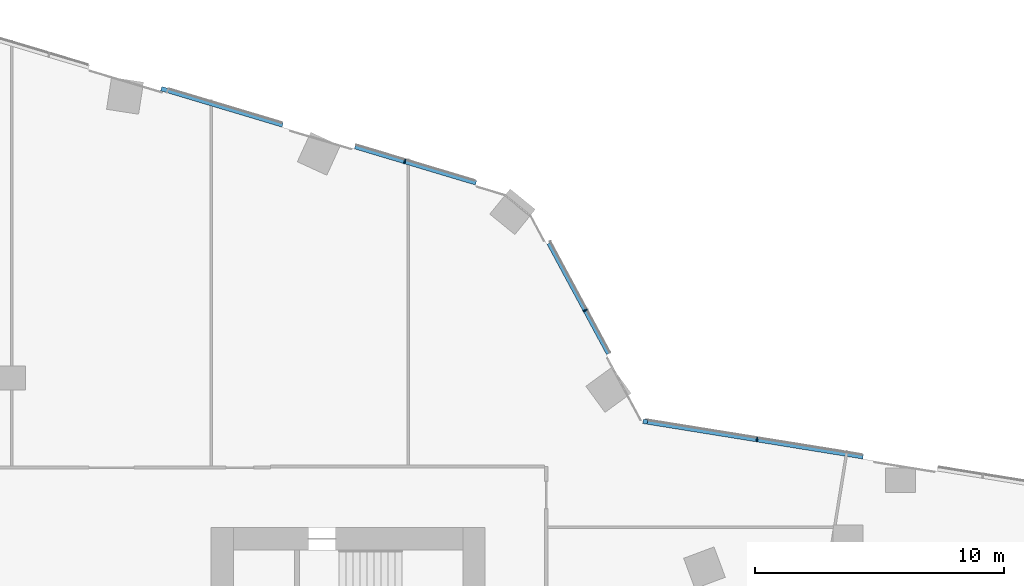
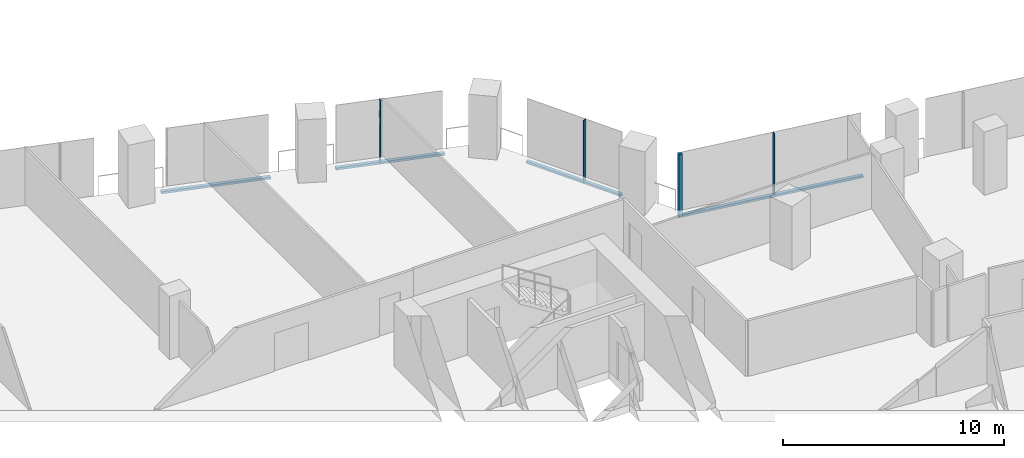
# One storey, part 11 of 32: 8 members, 3 elements without a shape of their own.
"""IFC4 building model written with IfcOpenShell, lengths in metres."""

import ifcopenshell
import ifcopenshell.guid

model = None  # the IFC model being written
_history = None  # IfcOwnerHistory: only IFC2X3 demands one
_inside = {}  # id of a spatial element -> (the spatial element, [elements in it])
_under = {}  # id of a project, library or spatial element -> (it, [spatial elements below it])
_declared = {}  # id of a project -> (the project, [libraries it declares])
_typed = {}  # id of a type object -> (the type object, [elements of that type])
_made_of = {}  # id of a material, layer set ... -> (it, [elements and type objects made of it])


def new_model(schema):
    """Start an empty IFC model of exactly this schema.

    Asked for "IFC4X3", IfcOpenShell would pick the latest addendum, in which some entities
    have other attributes; the version numbers below select the first issue.
    IFC2X3 requires an IfcOwnerHistory on every rooted entity: one is made here for all.
    """
    global model, _history
    if schema == "IFC4X3":
        model = ifcopenshell.file(schema_version=(4, 3, 0, 0))
    else:
        model = ifcopenshell.file(schema=schema)
    _inside.clear()
    _under.clear()
    _declared.clear()
    _typed.clear()
    _made_of.clear()
    _history = None
    if model.schema == "IFC2X3":
        org = make("IfcOrganization", Name="unknown")
        user = make(
            "IfcPersonAndOrganization",
            ThePerson=make("IfcPerson", FamilyName="unknown"),
            TheOrganization=org,
        )
        app = make(
            "IfcApplication",
            ApplicationDeveloper=org,
            Version="unknown",
            ApplicationFullName="unknown",
            ApplicationIdentifier="unknown",
        )
        _history = make(
            "IfcOwnerHistory",
            OwningUser=user,
            OwningApplication=app,
            ChangeAction="ADDED",
            CreationDate=0,
        )
    return model


def make(cls, **values):
    """One entity of the class cls with the attributes given. An attribute that is None is left unset."""
    return model.create_entity(
        cls, **{name: value for name, value in values.items() if value is not None}
    )


def rooted(cls, **values):
    """An entity with a GlobalId (a new one), such as an element, a storey or a relation."""
    return make(cls, GlobalId=ifcopenshell.guid.new(), OwnerHistory=_history, **values)


def si_unit(unit_type, name, prefix=None):
    """IfcSIUnit, for example si_unit("LENGTHUNIT", "METRE", prefix="MILLI")."""
    return make("IfcSIUnit", UnitType=unit_type, Prefix=prefix, Name=name)


def assignment(units):
    """IfcUnitAssignment: the units of a project."""
    return None if units is None else make("IfcUnitAssignment", Units=units)


def point(xyz):
    """IfcCartesianPoint."""
    return None if xyz is None else make("IfcCartesianPoint", Coordinates=xyz)


def direction(xyz):
    """IfcDirection."""
    return None if xyz is None else make("IfcDirection", DirectionRatios=xyz)


def frame(location, z_axis=None, x_axis=None):
    """IfcAxis2Placement3D, a coordinate frame: its origin and axes. An axis left out is left unset."""
    return make(
        "IfcAxis2Placement3D",
        Location=point(location),
        Axis=direction(z_axis),
        RefDirection=direction(x_axis),
    )


def frame_2d(location, x_axis=None):
    """IfcAxis2Placement2D, a coordinate frame in the plane: its origin and x axis."""
    return make(
        "IfcAxis2Placement2D", Location=point(location), RefDirection=direction(x_axis)
    )


def origin():
    """The frame at (0, 0, 0) with its axes left unset."""
    return frame((0.0, 0.0, 0.0))


def origin_2d():
    """The frame at (0, 0) in the plane with its x axis left unset."""
    return frame_2d((0.0, 0.0))


def place(relative_to, where):
    """IfcLocalPlacement: puts the frame where relative to a parent placement (None: the world)."""
    return make(
        "IfcLocalPlacement", PlacementRelTo=relative_to, RelativePlacement=where
    )


def context(
    kind, dimensions, precision=None, world=None, true_north=None, identifier=None
):
    """IfcGeometricRepresentationContext, for example the 3D "Model" context."""
    return make(
        "IfcGeometricRepresentationContext",
        ContextIdentifier=identifier,
        ContextType=kind,
        CoordinateSpaceDimension=dimensions,
        Precision=precision,
        WorldCoordinateSystem=world,
        TrueNorth=true_north,
    )


def subcontext(parent, identifier, kind, view, scale=None):
    """IfcGeometricRepresentationSubContext, for example "Body" below "Model"."""
    return make(
        "IfcGeometricRepresentationSubContext",
        ContextIdentifier=identifier,
        ContextType=kind,
        ParentContext=parent,
        TargetScale=scale,
        TargetView=view,
    )


def project(units=None, contexts=None):
    """IfcProject with its units and contexts."""
    return rooted(
        "IfcProject",
        Name="project",
        RepresentationContexts=contexts,
        UnitsInContext=assignment(units),
    )


def spatial(cls, under=None, at=None, **own):
    """A site, building, storey or space (cls), placed at a placement, below another one or the project."""
    s = rooted(cls, ObjectPlacement=at, **own)
    if under is not None:
        _under.setdefault(under.id(), (under, []))[1].append(s)
    return s


def profile(cls, at=None, kind="AREA", **sizes):
    """A parametric profile (cls). Its sizes go by their IFC names, for example OverallWidth=200.0."""
    return make(cls, ProfileType=kind, Position=at, **sizes)


def rectangle(**sizes):
    """IfcRectangleProfileDef."""
    return profile("IfcRectangleProfileDef", **sizes)


def extrude(swept, where, along, depth):
    """IfcExtrudedAreaSolid: the profile swept, set in the frame where, extruded along a direction by depth."""
    return make(
        "IfcExtrudedAreaSolid",
        SweptArea=swept,
        Position=where,
        ExtrudedDirection=direction(along),
        Depth=depth,
    )


def shape(context_of_items, identifier, shape_type, items):
    """IfcShapeRepresentation: the items that make up one representation, for example the "Body"."""
    return make(
        "IfcShapeRepresentation",
        ContextOfItems=context_of_items,
        RepresentationIdentifier=identifier,
        RepresentationType=shape_type,
        Items=items,
    )


def material(Name=None, Category=None):
    """IfcMaterial."""
    return make("IfcMaterial", Name=Name, Category=Category)


def material_profile(
    of_material, cross_section, Name=None, Category=None, Priority=None
):
    """IfcMaterialProfile: a cross section and its material."""
    return make(
        "IfcMaterialProfile",
        Name=Name,
        Material=of_material,
        Profile=cross_section,
        Priority=Priority,
        Category=Category,
    )


def profile_set(profiles, Name=None, composite=None):
    """IfcMaterialProfileSet."""
    return make(
        "IfcMaterialProfileSet",
        Name=Name,
        MaterialProfiles=profiles,
        CompositeProfile=composite,
    )


def made_of(thing, what):
    """Note that an element or type object is made of a material, layer set ...; save() writes the relation."""
    if what is not None:
        _made_of.setdefault(what.id(), (what, []))[1].append(thing)
    return thing


def type_object(cls, material=None, **own):
    """A type object (cls), such as IfcWallType, which elements share."""
    return made_of(rooted(cls, **own), material)


def element(
    cls,
    number,
    at=None,
    inside=None,
    cuts=None,
    type_object=None,
    material=None,
    context=None,
    identifier="Body",
    shape_type=None,
    held_by="IfcProductDefinitionShape",
    body=None,
    shapes=None,
    **own,
):
    """One element of the class cls, such as IfcWall. Its Tag is "e" and its number.

    at: its placement. inside: the storey or other place that contains it. cuts: it is an
    opening in that element (IfcRelVoidsElement). A single representation is given by context,
    identifier, shape_type and body (its items); several are given by shapes. held_by: the class
    of the entity that holds the representations. save() writes the other relations.
    """
    e = rooted(cls, Tag="e%d" % number, ObjectPlacement=at, **own)
    if body is not None:
        shapes = [shape(context, identifier, shape_type, body)]
    if shapes is not None:
        e.Representation = make(held_by, Representations=shapes)
    if inside is not None:
        _inside.setdefault(inside.id(), (inside, []))[1].append(e)
    if cuts is not None:
        rooted(
            "IfcRelVoidsElement", RelatingBuildingElement=cuts, RelatedOpeningElement=e
        )
    if type_object is not None:
        _typed.setdefault(type_object.id(), (type_object, []))[1].append(e)
    return made_of(e, material)


def aggregate(whole, parts):
    """IfcRelAggregates: a whole, such as a stair, and the parts it consists of."""
    return rooted("IfcRelAggregates", RelatingObject=whole, RelatedObjects=parts)


def save(model, path):
    """Write the relations noted so far, then the file.

    IfcRelAggregates (storeys below a building ...), IfcRelContainedInSpatialStructure (elements
    in a storey), IfcRelDefinesByType, IfcRelAssociatesMaterial and IfcRelDeclares: one each for
    every whole, place, type object, material and project.
    """
    for whole, parts in _under.values():
        aggregate(whole, parts)
    for where, things in _inside.values():
        rooted(
            "IfcRelContainedInSpatialStructure",
            RelatedElements=things,
            RelatingStructure=where,
        )
    for kind, things in _typed.values():
        rooted("IfcRelDefinesByType", RelatedObjects=things, RelatingType=kind)
    for what, things in _made_of.values():
        rooted("IfcRelAssociatesMaterial", RelatedObjects=things, RelatingMaterial=what)
    for by, libraries in _declared.values():
        rooted("IfcRelDeclares", RelatingContext=by, RelatedDefinitions=libraries)
    model.write(path)


model = new_model("IFC4")

# Units and contexts
model_context = context("Model", 3, precision=1e-05, world=origin(), true_north=direction((0.0, 1.0)))
body_context = subcontext(model_context, "Body", "Model", "MODEL_VIEW")
ifc_project = project(units=[si_unit("LENGTHUNIT", "METRE"), si_unit("AREAUNIT", "SQUARE_METRE"), si_unit("VOLUMEUNIT", "CUBIC_METRE"), si_unit("PLANEANGLEUNIT", "RADIAN"), si_unit("MASSUNIT", "GRAM", prefix="KILO")], contexts=[model_context])

# Site, building, storey
site_placement = place(None, origin())
site = spatial("IfcSite", under=ifc_project, at=site_placement, CompositionType="ELEMENT")
building_placement = place(site_placement, origin())
building = spatial("IfcBuilding", under=site, at=building_placement, Name="Orlundy Tower", CompositionType="ELEMENT")
storey_placement = place(building_placement, frame((0.0, 0.0, 123.699951171875)))
storey = spatial("IfcBuildingStorey", under=building, at=storey_placement, Name="L31", CompositionType="ELEMENT", Elevation=123.699951171875)

# Curtain wall, member
ifc_material_1 = material(Name="Aluminium bronze anodised", Category="aluminium")
curtain_wall_type = type_object("IfcCurtainWallType", Name="CW1 wall", PredefinedType="NOTDEFINED", material=ifc_material_1)
curtain_wall_1_placement = place(storey_placement, origin())
curtain_wall_1 = element("IfcCurtainWall", 1, at=curtain_wall_1_placement, inside=storey, type_object=curtain_wall_type, Name="CW1 run 06", PredefinedType="NOTDEFINED")
ifc_material_2 = material(Name="Aluminium bronze anodised", Category="aluminium")
ifc_material_profile_1 = material_profile(ifc_material_2, rectangle(XDim=0.179931640625, YDim=0.179931640625, at=origin_2d()), Name="CW1 corner post 180x180")
ifc_profile_set_1 = profile_set([ifc_material_profile_1], Name="Aluminium bronze anodised")
member_type_1 = type_object("IfcMemberType", Name="CW1 corner post 180x180", PredefinedType="MULLION", material=ifc_profile_set_1)
member_1_placement = place(storey_placement, frame((25.425048828125, 16.246826171875, -0.39990234375), z_axis=(0.0, 0.0, 1.0), x_axis=(0.159302095871, 0.987229883184, 0.0)))
member_1 = element("IfcMember", 2, at=member_1_placement, type_object=member_type_1, Name="CW1 mullion 26", PredefinedType="MULLION", context=body_context, shape_type="SweptSolid", body=[
    extrude(rectangle(XDim=0.179931640625, YDim=0.179931640625, at=origin_2d()), origin(), (0.0, 0.0, 1.0), 3.5),
])

curtain_wall_2_placement = place(storey_placement, origin())
curtain_wall_2 = element("IfcCurtainWall", 3, at=curtain_wall_2_placement, inside=storey, type_object=curtain_wall_type, Name="CW1 run 04", PredefinedType="NOTDEFINED")
ifc_material_3 = material(Name="Aluminium bronze anodised", Category="aluminium")
ifc_material_profile_2 = material_profile(ifc_material_3, rectangle(XDim=0.179931640625, YDim=0.050048828125, at=origin_2d()), Name="CW1 mullion 50x180")
ifc_profile_set_2 = profile_set([ifc_material_profile_2], Name="Aluminium bronze anodised")
member_type_2 = type_object("IfcMemberType", Name="CW1 mullion 50x180", PredefinedType="MULLION", material=ifc_profile_set_2)
member_2_placement = place(storey_placement, frame((15.772216796875, 26.687744140625, -0.39990234375), z_axis=(0.0, 0.0, 1.0), x_axis=(0.286816257107, 0.957985612971, 0.0)))
member_2 = element("IfcMember", 4, at=member_2_placement, type_object=member_type_2, Name="CW1 mullion 23", PredefinedType="MULLION", context=body_context, shape_type="SweptSolid", body=[
    extrude(rectangle(XDim=0.179931640625, YDim=0.050048828125, at=origin_2d()), origin(), (0.0, 0.0, 1.0), 3.5),
])

curtain_wall_3_placement = place(storey_placement, origin())
curtain_wall_3 = element("IfcCurtainWall", 5, at=curtain_wall_3_placement, inside=storey, type_object=curtain_wall_type, Name="CW1 run 05", PredefinedType="NOTDEFINED")
member_3_placement = place(storey_placement, frame((23.0166015625, 20.713134765625, -0.39990234375), z_axis=(0.0, 0.0, 1.0), x_axis=(0.880188659482, 0.4746239814, 0.0)))
member_3 = element("IfcMember", 6, at=member_3_placement, type_object=member_type_2, Name="CW1 mullion 25", PredefinedType="MULLION", context=body_context, shape_type="SweptSolid", body=[
    extrude(rectangle(XDim=0.179931640625, YDim=0.050048828125, at=origin_2d()), origin(), (0.0, 0.0, 1.0), 3.5),
])

# Member
member_4_placement = place(storey_placement, frame((29.91162109375, 15.52294921875, -0.39990234375), z_axis=(0.0, 0.0, 1.0), x_axis=(0.159302095871, 0.987229883184, 0.0)))
member_4 = element("IfcMember", 7, at=member_4_placement, type_object=member_type_2, Name="CW1 mullion 27", PredefinedType="MULLION", context=body_context, shape_type="SweptSolid", body=[
    extrude(rectangle(XDim=0.179931640625, YDim=0.050048828125, at=origin_2d()), origin(), (0.0, 0.0, 1.0), 3.5),
])

ifc_material_4 = material(Name="Aluminium bronze anodised", Category="aluminium")
ifc_material_profile_3 = material_profile(ifc_material_4, rectangle(XDim=0.179931640625, YDim=0.1201171875, at=origin_2d()), Name="CW1 transom 180x120")
ifc_profile_set_3 = profile_set([ifc_material_profile_3], Name="Aluminium bronze anodised")
member_type_3 = type_object("IfcMemberType", Name="CW1 transom 180x120", PredefinedType="USERDEFINED", material=ifc_profile_set_3)
member_5_placement = place(storey_placement, frame((5.99462890625, 29.615234375, -0.33984375), z_axis=(0.95798591862, -0.286815236215, 0.0), x_axis=(0.286815236215, 0.95798591862, 0.0)))
member_5 = element("IfcMember", 8, at=member_5_placement, type_object=member_type_3, Name="CW1 transom", ObjectType="TRANSOM", PredefinedType="USERDEFINED", context=body_context, shape_type="SweptSolid", body=[
    extrude(rectangle(XDim=0.179931640625, YDim=0.1201171875, at=origin_2d()), origin(), (0.0, 0.0, 1.0), 5.088623046875),
])

member_6_placement = place(storey_placement, frame((13.772705078125, 27.286376953125, -0.33984375), z_axis=(0.957995663213, -0.286782686481, 0.0), x_axis=(0.286782686481, 0.957995663213, 0.0)))
member_6 = element("IfcMember", 9, at=member_6_placement, type_object=member_type_3, Name="CW1 transom", ObjectType="TRANSOM", PredefinedType="USERDEFINED", context=body_context, shape_type="SweptSolid", body=[
    extrude(rectangle(XDim=0.179931640625, YDim=0.1201171875, at=origin_2d()), origin(), (0.0, 0.0, 1.0), 5.072998046875),
])

aggregate(curtain_wall_2, [member_2, member_5, member_6])

member_7_placement = place(storey_placement, frame((21.5634765625, 23.408203125, -0.33984375), z_axis=(0.474626124726, -0.880187503733, 0.0), x_axis=(0.880187503733, 0.474626124726, 0.0)))
member_7 = element("IfcMember", 10, at=member_7_placement, type_object=member_type_3, Name="CW1 transom", ObjectType="TRANSOM", PredefinedType="USERDEFINED", context=body_context, shape_type="SweptSolid", body=[
    extrude(rectangle(XDim=0.179931640625, YDim=0.1201171875, at=origin_2d()), origin(), (0.0, 0.0, 1.0), 5.03369140625),
])

aggregate(curtain_wall_3, [member_3, member_7])

member_8_placement = place(storey_placement, frame((25.513916015625, 16.232421875, -0.33984375), z_axis=(0.987231800347, -0.159290214338, 0.0), x_axis=(0.159290214338, 0.987231800347, 0.0)))
member_8 = element("IfcMember", 11, at=member_8_placement, type_object=member_type_3, Name="CW1 transom", ObjectType="TRANSOM", PredefinedType="USERDEFINED", context=body_context, shape_type="SweptSolid", body=[
    extrude(rectangle(XDim=0.179931640625, YDim=0.1201171875, at=origin_2d()), origin(), (0.0, 0.0, 1.0), 8.7685546875),
])

aggregate(curtain_wall_1, [member_1, member_4, member_8])

save(model, "model.ifc")
